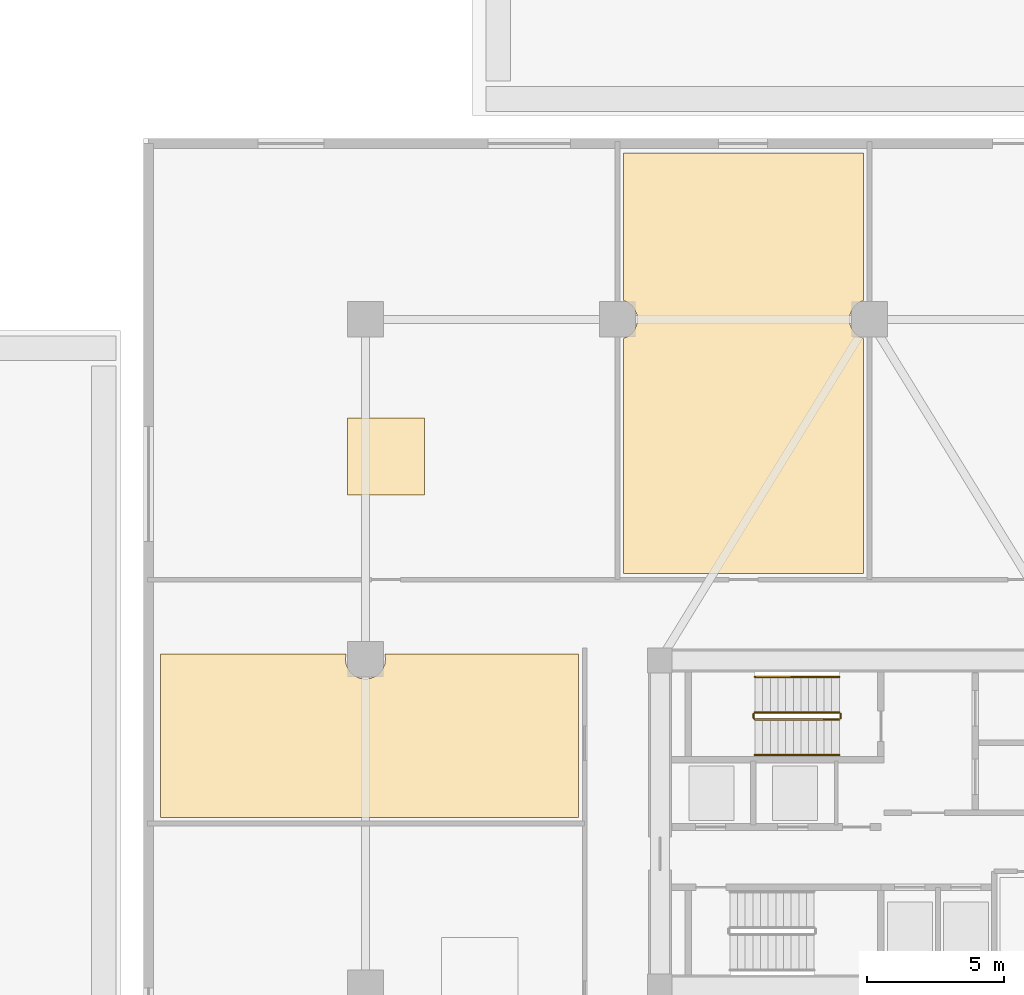
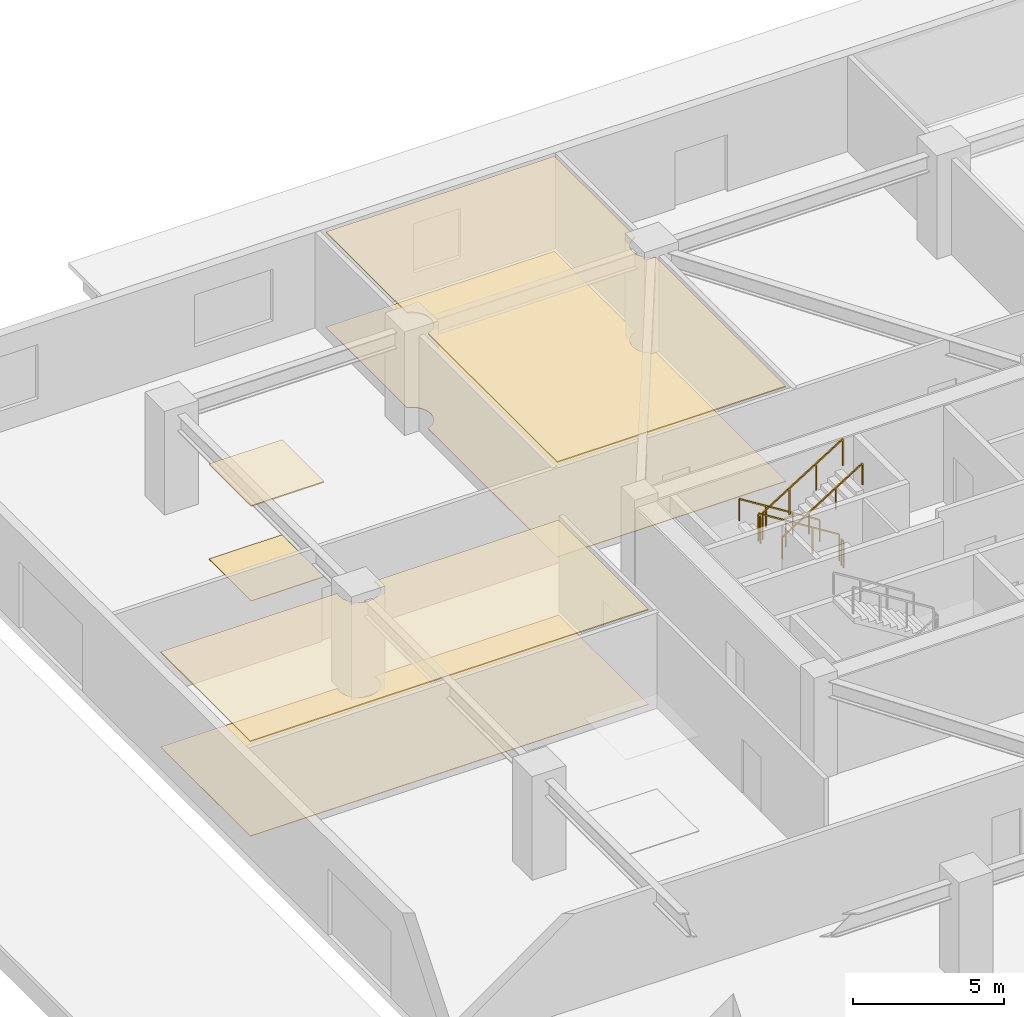
# One storey, part 15 of 22: 6 coverings, 6 railings.
"""IFC4 building model written with IfcOpenShell, lengths in metres."""

from ifc_helpers import new_model, si_unit, direction, frame, origin, origin_2d, place, context, subcontext, project, spatial, polyline, rectangle, outline, extrude, material, layer, layer_set, type_object, element, save


model = new_model("IFC4")

# Units and contexts
model_context = context("Model", 3, precision=1e-05, world=origin(), true_north=direction((0.0, 1.0)))
body_context = subcontext(model_context, "Body", "Model", "MODEL_VIEW")
ifc_project = project(units=[si_unit("LENGTHUNIT", "METRE"), si_unit("AREAUNIT", "SQUARE_METRE"), si_unit("VOLUMEUNIT", "CUBIC_METRE"), si_unit("PLANEANGLEUNIT", "RADIAN"), si_unit("MASSUNIT", "GRAM", prefix="KILO")], contexts=[model_context])

# Site, building, storey
site_placement = place(None, origin())
site = spatial("IfcSite", under=ifc_project, at=site_placement, CompositionType="ELEMENT")
building_placement = place(site_placement, origin())
building = spatial("IfcBuilding", under=site, at=building_placement, Name="Norrkilde Senior Care Towers", CompositionType="ELEMENT")
storey_placement = place(building_placement, origin())
storey = spatial("IfcBuildingStorey", under=building, at=storey_placement, Name="L00", CompositionType="ELEMENT", Elevation=0.0)

# Coverings
ifc_material_1 = material(Name="Nordic Ash Timber", Category="wood")
ifc_layer_1 = layer(ifc_material_1, 0.044921875)
ifc_layer_set_1 = layer_set([ifc_layer_1], Name="Nordic Ash Timber")
covering_type_1 = type_object("IfcCoveringType", Name="Acoustic Ash Timber Slatted Ceiling 45", PredefinedType="CEILING", material=ifc_layer_set_1)
covering_1_placement = place(storey_placement, frame((0.0, 0.0, 3.8349609375)))
element("IfcCovering", 1, at=covering_1_placement, inside=storey, type_object=covering_type_1, Name="L00 Suspended Ceiling 0004", PredefinedType="CEILING", context=body_context, shape_type="SweptSolid", body=[
    extrude(outline(polyline([(-38.6201171875, 0.219970703125), (-53.8798828125, 0.219970703125), (-53.8798828125, 6.179931640625), (-47.106201171875, 6.179931640625), (-47.1298828125, 6.0), (-47.105224609375, 5.81103515625), (-47.0322265625, 5.635009765625), (-46.916259765625, 5.48388671875), (-46.764892578125, 5.367919921875), (-46.5888671875, 5.294921875), (-46.39990234375, 5.27001953125), (-46.211181640625, 5.294921875), (-46.034912109375, 5.367919921875), (-45.8837890625, 5.48388671875), (-45.767822265625, 5.635009765625), (-45.69482421875, 5.81103515625), (-45.669921875, 6.0), (-45.693603515625, 6.179931640625), (-38.6201171875, 6.179931640625), (-38.6201171875, 0.219970703125)])), origin(), (0.0, 0.0, 1.0), 0.044921875),
])
covering_2_placement = place(storey_placement, frame((0.0, 0.0, 3.8349609375)))
element("IfcCovering", 2, at=covering_2_placement, inside=storey, type_object=covering_type_1, Name="L00 Suspended Ceiling 0012", PredefinedType="CEILING", context=body_context, shape_type="SweptSolid", body=[
    extrude(outline(polyline([(-47.050048828125, 11.9951171875), (-47.050048828125, 14.794921875), (-44.25, 14.794921875), (-44.25, 11.9951171875), (-47.050048828125, 11.9951171875)])), origin(), (0.0, 0.0, 1.0), 0.044921875),
])
covering_3_placement = place(storey_placement, frame((0.0, 0.0, 3.8349609375)))
element("IfcCovering", 3, at=covering_3_placement, inside=storey, type_object=covering_type_1, Name="L00 Suspended Ceiling 0013", PredefinedType="CEILING", context=body_context, shape_type="SweptSolid", body=[
    extrude(outline(polyline([(-36.97998046875, 9.1201171875), (-36.97998046875, 17.707763671875), (-36.8349609375, 17.767822265625), (-36.683837890625, 17.8837890625), (-36.56787109375, 18.034912109375), (-36.494873046875, 18.211181640625), (-36.469970703125, 18.39990234375), (-36.494873046875, 18.5888671875), (-36.56787109375, 18.764892578125), (-36.683837890625, 18.916259765625), (-36.8349609375, 19.0322265625), (-36.97998046875, 19.09228515625), (-36.97998046875, 24.47998046875), (-28.219970703125, 24.47998046875), (-28.219970703125, 19.09228515625), (-28.364990234375, 19.0322265625), (-28.51611328125, 18.916259765625), (-28.632080078125, 18.764892578125), (-28.705078125, 18.5888671875), (-28.72998046875, 18.39990234375), (-28.705078125, 18.211181640625), (-28.632080078125, 18.034912109375), (-28.51611328125, 17.8837890625), (-28.364990234375, 17.767822265625), (-28.219970703125, 17.707763671875), (-28.219970703125, 9.1201171875), (-36.97998046875, 9.1201171875)])), origin(), (0.0, 0.0, 1.0), 0.044921875),
])
ifc_material_2 = material(Name="Slip-Resistant Porcelain Stone", Category="masonry")
ifc_layer_2 = layer(ifc_material_2, 0.02490234375)
ifc_layer_set_2 = layer_set([ifc_layer_2], Name="Slip-Resistant Porcelain Stone")
covering_type_2 = type_object("IfcCoveringType", Name="Slip-Resistant Porcelain Flooring 25", PredefinedType="FLOORING", material=ifc_layer_set_2)
covering_4_placement = place(storey_placement, origin())
element("IfcCovering", 4, at=covering_4_placement, inside=storey, type_object=covering_type_2, Name="L00 Floor Finish 0004", PredefinedType="FLOORING", context=body_context, shape_type="SweptSolid", body=[
    extrude(outline(polyline([(-38.6201171875, 0.219970703125), (-53.8798828125, 0.219970703125), (-53.8798828125, 6.179931640625), (-47.106201171875, 6.179931640625), (-47.1298828125, 6.0), (-47.105224609375, 5.81103515625), (-47.0322265625, 5.635009765625), (-46.916259765625, 5.48388671875), (-46.764892578125, 5.367919921875), (-46.5888671875, 5.294921875), (-46.39990234375, 5.27001953125), (-46.211181640625, 5.294921875), (-46.034912109375, 5.367919921875), (-45.8837890625, 5.48388671875), (-45.767822265625, 5.635009765625), (-45.69482421875, 5.81103515625), (-45.669921875, 6.0), (-45.693603515625, 6.179931640625), (-38.6201171875, 6.179931640625), (-38.6201171875, 0.219970703125)])), origin(), (0.0, 0.0, 1.0), 0.02490234375),
])
covering_5_placement = place(storey_placement, origin())
element("IfcCovering", 5, at=covering_5_placement, inside=storey, type_object=covering_type_2, Name="L00 Floor Finish 0012", PredefinedType="FLOORING", context=body_context, shape_type="SweptSolid", body=[
    extrude(outline(polyline([(-47.050048828125, 11.9951171875), (-47.050048828125, 14.794921875), (-44.25, 14.794921875), (-44.25, 11.9951171875), (-47.050048828125, 11.9951171875)])), origin(), (0.0, 0.0, 1.0), 0.02490234375),
])
covering_6_placement = place(storey_placement, origin())
element("IfcCovering", 6, at=covering_6_placement, inside=storey, type_object=covering_type_2, Name="L00 Floor Finish 0013", PredefinedType="FLOORING", context=body_context, shape_type="SweptSolid", body=[
    extrude(outline(polyline([(-36.97998046875, 9.1201171875), (-36.97998046875, 17.707763671875), (-36.8349609375, 17.767822265625), (-36.683837890625, 17.8837890625), (-36.56787109375, 18.034912109375), (-36.494873046875, 18.211181640625), (-36.469970703125, 18.39990234375), (-36.494873046875, 18.5888671875), (-36.56787109375, 18.764892578125), (-36.683837890625, 18.916259765625), (-36.8349609375, 19.0322265625), (-36.97998046875, 19.09228515625), (-36.97998046875, 24.47998046875), (-28.219970703125, 24.47998046875), (-28.219970703125, 19.09228515625), (-28.364990234375, 19.0322265625), (-28.51611328125, 18.916259765625), (-28.632080078125, 18.764892578125), (-28.705078125, 18.5888671875), (-28.72998046875, 18.39990234375), (-28.705078125, 18.211181640625), (-28.632080078125, 18.034912109375), (-28.51611328125, 17.8837890625), (-28.364990234375, 17.767822265625), (-28.219970703125, 17.707763671875), (-28.219970703125, 9.1201171875), (-36.97998046875, 9.1201171875)])), origin(), (0.0, 0.0, 1.0), 0.02490234375),
])

# Railings
ifc_material_3 = material(Name="Stainless Steel", Category="steel")
railing_type_1 = type_object("IfcRailingType", Name="Stair and Terrace Guardrail 1100", PredefinedType="GUARDRAIL", material=ifc_material_3)
railing_1_placement = place(storey_placement, frame((-29.10009765625, 4.050048828125, 0.175048828125)))
element("IfcRailing", 7, at=railing_1_placement, inside=storey, type_object=railing_type_1, Name="L00 ST-W1 stair guard 1", PredefinedType="GUARDRAIL", context=body_context, shape_type="SweptSolid", body=[
    extrude(rectangle(XDim=0.048095703125, YDim=0.048095703125, at=origin_2d()), frame((0.0, 0.0, 1.076171875), z_axis=(-0.847979421464, 0.0, 0.530029150871), x_axis=(0.0, -1.0, 0.0)), (0.0, 0.0, 1.0), 3.632080078125),
    extrude(rectangle(XDim=0.0419921875, YDim=0.0419921875, at=origin_2d()), origin(), (0.0, 0.0, 1.0), 1.050048828125),
    extrude(rectangle(XDim=0.0419921875, YDim=0.0419921875, at=origin_2d()), frame((-1.026611328125, 0.0, 0.6416015625)), (0.0, 0.0, 1.0), 1.050048828125),
    extrude(rectangle(XDim=0.0419921875, YDim=0.0419921875, at=origin_2d()), frame((-2.05322265625, 0.0, 1.283447265625)), (0.0, 0.0, 1.0), 1.050048828125),
    extrude(rectangle(XDim=0.0419921875, YDim=0.0419921875, at=origin_2d()), frame((-3.079833984375, 0.0, 1.925048828125)), (0.0, 0.0, 1.0), 1.050048828125),
])
railing_2_placement = place(storey_placement, frame((-32.22998046875, 4.0, 2.10009765625)))
element("IfcRailing", 8, at=railing_2_placement, inside=storey, type_object=railing_type_1, Name="L00 ST-W1 stair guard 2", PredefinedType="GUARDRAIL", context=body_context, shape_type="SweptSolid", body=[
    extrude(rectangle(XDim=0.048095703125, YDim=0.048095703125, at=origin_2d()), frame((0.0, 0.0, 1.076171875), z_axis=(0.0, -1.0, 0.0), x_axis=(1.0, 0.0, 0.0)), (0.0, 0.0, 1.0), 0.14990234375),
    extrude(rectangle(XDim=0.0419921875, YDim=0.0419921875, at=origin_2d()), origin(), (0.0, 0.0, 1.0), 1.050048828125),
    extrude(rectangle(XDim=0.0419921875, YDim=0.0419921875, at=origin_2d()), frame((0.0, -0.14990234375, 0.0)), (0.0, 0.0, 1.0), 1.050048828125),
])
railing_3_placement = place(storey_placement, frame((-32.179931640625, 3.800048828125, 2.27490234375)))
element("IfcRailing", 9, at=railing_3_placement, inside=storey, type_object=railing_type_1, Name="L00 ST-W1 stair guard 3", PredefinedType="GUARDRAIL", context=body_context, shape_type="SweptSolid", body=[
    extrude(rectangle(XDim=0.048095703125, YDim=0.048095703125, at=origin_2d()), frame((0.0, 0.0, 1.076171875), z_axis=(0.847979421464, 0.0, 0.530029150871), x_axis=(0.0, 1.0, 0.0)), (0.0, 0.0, 1.0), 3.632080078125),
    extrude(rectangle(XDim=0.0419921875, YDim=0.0419921875, at=origin_2d()), origin(), (0.0, 0.0, 1.0), 1.050048828125),
    extrude(rectangle(XDim=0.0419921875, YDim=0.0419921875, at=origin_2d()), frame((1.026611328125, 0.0, 0.6416015625)), (0.0, 0.0, 1.0), 1.050048828125),
    extrude(rectangle(XDim=0.0419921875, YDim=0.0419921875, at=origin_2d()), frame((2.05322265625, 0.0, 1.283447265625)), (0.0, 0.0, 1.0), 1.050048828125),
    extrude(rectangle(XDim=0.0419921875, YDim=0.0419921875, at=origin_2d()), frame((3.079833984375, 0.0, 1.925048828125)), (0.0, 0.0, 1.0), 1.050048828125),
])
railing_4_placement = place(storey_placement, frame((-29.050048828125, 4.0, 0.0)))
element("IfcRailing", 10, at=railing_4_placement, inside=storey, type_object=railing_type_1, Name="L00 ST-W1 stair guard 4", PredefinedType="GUARDRAIL", context=body_context, shape_type="SweptSolid", body=[
    extrude(rectangle(XDim=0.048095703125, YDim=0.048095703125, at=origin_2d()), frame((0.0, 0.0, 1.076171875), z_axis=(0.0, -1.0, 0.0), x_axis=(1.0, 0.0, 0.0)), (0.0, 0.0, 1.0), 0.14990234375),
    extrude(rectangle(XDim=0.0419921875, YDim=0.0419921875, at=origin_2d()), origin(), (0.0, 0.0, 1.0), 1.050048828125),
    extrude(rectangle(XDim=0.0419921875, YDim=0.0419921875, at=origin_2d()), frame((0.0, -0.14990234375, 0.0)), (0.0, 0.0, 1.0), 1.050048828125),
])
railing_type_2 = type_object("IfcRailingType", Name="Wall and Stair Handrail 900", PredefinedType="HANDRAIL", material=ifc_material_1)
railing_5_placement = place(storey_placement, frame((-29.10009765625, 5.35009765625, 0.175048828125)))
element("IfcRailing", 11, at=railing_5_placement, inside=storey, type_object=railing_type_2, Name="L00 ST-W1 stair handrail 1", PredefinedType="HANDRAIL", context=body_context, shape_type="SweptSolid", body=[
    extrude(rectangle(XDim=0.048095703125, YDim=0.048095703125, at=origin_2d()), frame((0.0, 0.0, 0.8759765625), z_axis=(-0.847979421464, 0.0, 0.530029150871), x_axis=(0.0, -1.0, 0.0)), (0.0, 0.0, 1.0), 3.632080078125),
    extrude(rectangle(XDim=0.0419921875, YDim=0.0419921875, at=origin_2d()), origin(), (0.0, 0.0, 1.0), 0.849853515625),
    extrude(rectangle(XDim=0.0419921875, YDim=0.0419921875, at=origin_2d()), frame((-1.026611328125, 0.0, 0.6416015625)), (0.0, 0.0, 1.0), 0.849853515625),
    extrude(rectangle(XDim=0.0419921875, YDim=0.0419921875, at=origin_2d()), frame((-2.05322265625, 0.0, 1.283447265625)), (0.0, 0.0, 1.0), 0.849853515625),
    extrude(rectangle(XDim=0.0419921875, YDim=0.0419921875, at=origin_2d()), frame((-3.079833984375, 0.0, 1.925048828125)), (0.0, 0.0, 1.0), 0.849853515625),
])
railing_6_placement = place(storey_placement, frame((-32.179931640625, 2.5, 2.27490234375)))
element("IfcRailing", 12, at=railing_6_placement, inside=storey, type_object=railing_type_2, Name="L00 ST-W1 stair handrail 2", PredefinedType="HANDRAIL", context=body_context, shape_type="SweptSolid", body=[
    extrude(rectangle(XDim=0.048095703125, YDim=0.048095703125, at=origin_2d()), frame((0.0, 0.0, 0.8759765625), z_axis=(0.847979421464, 0.0, 0.530029150871), x_axis=(0.0, 1.0, 0.0)), (0.0, 0.0, 1.0), 3.632080078125),
    extrude(rectangle(XDim=0.0419921875, YDim=0.0419921875, at=origin_2d()), origin(), (0.0, 0.0, 1.0), 0.849853515625),
    extrude(rectangle(XDim=0.0419921875, YDim=0.0419921875, at=origin_2d()), frame((1.026611328125, 0.0, 0.6416015625)), (0.0, 0.0, 1.0), 0.849853515625),
    extrude(rectangle(XDim=0.0419921875, YDim=0.0419921875, at=origin_2d()), frame((2.05322265625, 0.0, 1.283447265625)), (0.0, 0.0, 1.0), 0.849853515625),
    extrude(rectangle(XDim=0.0419921875, YDim=0.0419921875, at=origin_2d()), frame((3.079833984375, 0.0, 1.925048828125)), (0.0, 0.0, 1.0), 0.849853515625),
])

save(model, "model.ifc")
